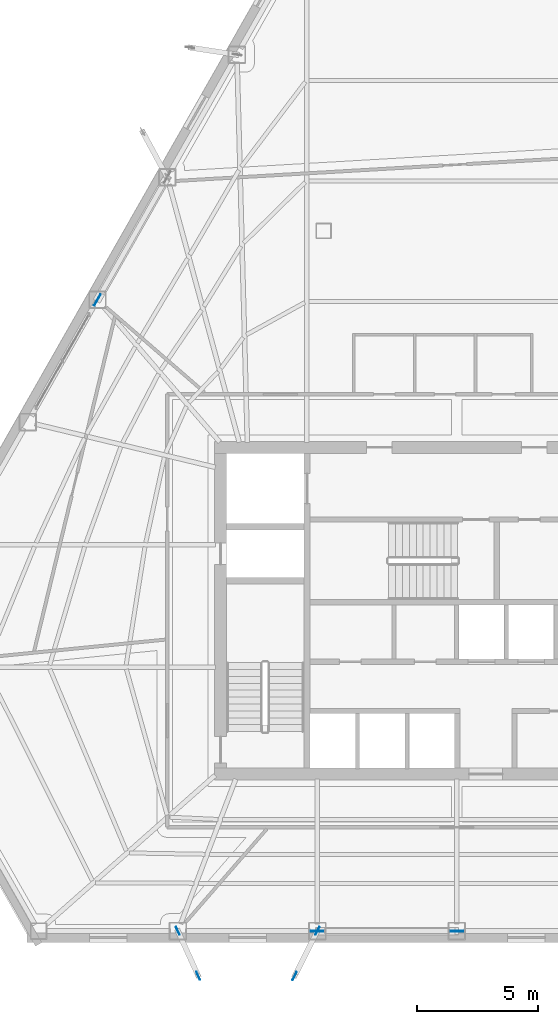
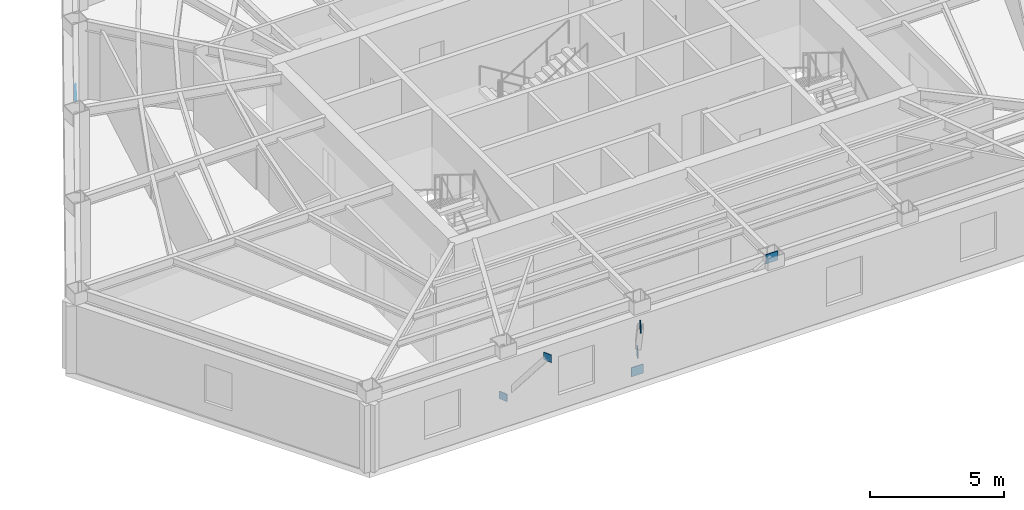
# One storey, part 5 of 12: 7 plates.
"""IFC4 building model written with IfcOpenShell, lengths in metres."""

import ifcopenshell
import ifcopenshell.guid

model = None  # the IFC model being written
_history = None  # IfcOwnerHistory: only IFC2X3 demands one
_inside = {}  # id of a spatial element -> (the spatial element, [elements in it])
_under = {}  # id of a project, library or spatial element -> (it, [spatial elements below it])
_declared = {}  # id of a project -> (the project, [libraries it declares])
_typed = {}  # id of a type object -> (the type object, [elements of that type])
_made_of = {}  # id of a material, layer set ... -> (it, [elements and type objects made of it])


def new_model(schema):
    """Start an empty IFC model of exactly this schema.

    Asked for "IFC4X3", IfcOpenShell would pick the latest addendum, in which some entities
    have other attributes; the version numbers below select the first issue.
    IFC2X3 requires an IfcOwnerHistory on every rooted entity: one is made here for all.
    """
    global model, _history
    if schema == "IFC4X3":
        model = ifcopenshell.file(schema_version=(4, 3, 0, 0))
    else:
        model = ifcopenshell.file(schema=schema)
    _inside.clear()
    _under.clear()
    _declared.clear()
    _typed.clear()
    _made_of.clear()
    _history = None
    if model.schema == "IFC2X3":
        org = make("IfcOrganization", Name="unknown")
        user = make(
            "IfcPersonAndOrganization",
            ThePerson=make("IfcPerson", FamilyName="unknown"),
            TheOrganization=org,
        )
        app = make(
            "IfcApplication",
            ApplicationDeveloper=org,
            Version="unknown",
            ApplicationFullName="unknown",
            ApplicationIdentifier="unknown",
        )
        _history = make(
            "IfcOwnerHistory",
            OwningUser=user,
            OwningApplication=app,
            ChangeAction="ADDED",
            CreationDate=0,
        )
    return model


def make(cls, **values):
    """One entity of the class cls with the attributes given. An attribute that is None is left unset."""
    return model.create_entity(
        cls, **{name: value for name, value in values.items() if value is not None}
    )


def rooted(cls, **values):
    """An entity with a GlobalId (a new one), such as an element, a storey or a relation."""
    return make(cls, GlobalId=ifcopenshell.guid.new(), OwnerHistory=_history, **values)


def si_unit(unit_type, name, prefix=None):
    """IfcSIUnit, for example si_unit("LENGTHUNIT", "METRE", prefix="MILLI")."""
    return make("IfcSIUnit", UnitType=unit_type, Prefix=prefix, Name=name)


def assignment(units):
    """IfcUnitAssignment: the units of a project."""
    return None if units is None else make("IfcUnitAssignment", Units=units)


def point(xyz):
    """IfcCartesianPoint."""
    return None if xyz is None else make("IfcCartesianPoint", Coordinates=xyz)


def direction(xyz):
    """IfcDirection."""
    return None if xyz is None else make("IfcDirection", DirectionRatios=xyz)


def frame(location, z_axis=None, x_axis=None):
    """IfcAxis2Placement3D, a coordinate frame: its origin and axes. An axis left out is left unset."""
    return make(
        "IfcAxis2Placement3D",
        Location=point(location),
        Axis=direction(z_axis),
        RefDirection=direction(x_axis),
    )


def frame_2d(location, x_axis=None):
    """IfcAxis2Placement2D, a coordinate frame in the plane: its origin and x axis."""
    return make(
        "IfcAxis2Placement2D", Location=point(location), RefDirection=direction(x_axis)
    )


def origin():
    """The frame at (0, 0, 0) with its axes left unset."""
    return frame((0.0, 0.0, 0.0))


def origin_2d():
    """The frame at (0, 0) in the plane with its x axis left unset."""
    return frame_2d((0.0, 0.0))


def place(relative_to, where):
    """IfcLocalPlacement: puts the frame where relative to a parent placement (None: the world)."""
    return make(
        "IfcLocalPlacement", PlacementRelTo=relative_to, RelativePlacement=where
    )


def context(
    kind, dimensions, precision=None, world=None, true_north=None, identifier=None
):
    """IfcGeometricRepresentationContext, for example the 3D "Model" context."""
    return make(
        "IfcGeometricRepresentationContext",
        ContextIdentifier=identifier,
        ContextType=kind,
        CoordinateSpaceDimension=dimensions,
        Precision=precision,
        WorldCoordinateSystem=world,
        TrueNorth=true_north,
    )


def subcontext(parent, identifier, kind, view, scale=None):
    """IfcGeometricRepresentationSubContext, for example "Body" below "Model"."""
    return make(
        "IfcGeometricRepresentationSubContext",
        ContextIdentifier=identifier,
        ContextType=kind,
        ParentContext=parent,
        TargetScale=scale,
        TargetView=view,
    )


def project(units=None, contexts=None):
    """IfcProject with its units and contexts."""
    return rooted(
        "IfcProject",
        Name="project",
        RepresentationContexts=contexts,
        UnitsInContext=assignment(units),
    )


def spatial(cls, under=None, at=None, **own):
    """A site, building, storey or space (cls), placed at a placement, below another one or the project."""
    s = rooted(cls, ObjectPlacement=at, **own)
    if under is not None:
        _under.setdefault(under.id(), (under, []))[1].append(s)
    return s


def profile(cls, at=None, kind="AREA", **sizes):
    """A parametric profile (cls). Its sizes go by their IFC names, for example OverallWidth=200.0."""
    return make(cls, ProfileType=kind, Position=at, **sizes)


def rectangle(**sizes):
    """IfcRectangleProfileDef."""
    return profile("IfcRectangleProfileDef", **sizes)


def extrude(swept, where, along, depth):
    """IfcExtrudedAreaSolid: the profile swept, set in the frame where, extruded along a direction by depth."""
    return make(
        "IfcExtrudedAreaSolid",
        SweptArea=swept,
        Position=where,
        ExtrudedDirection=direction(along),
        Depth=depth,
    )


def shape(context_of_items, identifier, shape_type, items):
    """IfcShapeRepresentation: the items that make up one representation, for example the "Body"."""
    return make(
        "IfcShapeRepresentation",
        ContextOfItems=context_of_items,
        RepresentationIdentifier=identifier,
        RepresentationType=shape_type,
        Items=items,
    )


def material(Name=None, Category=None):
    """IfcMaterial."""
    return make("IfcMaterial", Name=Name, Category=Category)


def layer(
    of_material, thickness, ventilated=None, Name=None, Category=None, Priority=None
):
    """IfcMaterialLayer: one layer of a wall or slab, of a material (None: an air gap)."""
    return make(
        "IfcMaterialLayer",
        Material=of_material,
        LayerThickness=thickness,
        IsVentilated=ventilated,
        Name=Name,
        Category=Category,
        Priority=Priority,
    )


def layer_set(layers, Name=None):
    """IfcMaterialLayerSet."""
    return make("IfcMaterialLayerSet", MaterialLayers=layers, LayerSetName=Name)


def made_of(thing, what):
    """Note that an element or type object is made of a material, layer set ...; save() writes the relation."""
    if what is not None:
        _made_of.setdefault(what.id(), (what, []))[1].append(thing)
    return thing


def type_object(cls, material=None, **own):
    """A type object (cls), such as IfcWallType, which elements share."""
    return made_of(rooted(cls, **own), material)


def element(
    cls,
    number,
    at=None,
    inside=None,
    cuts=None,
    type_object=None,
    material=None,
    context=None,
    identifier="Body",
    shape_type=None,
    held_by="IfcProductDefinitionShape",
    body=None,
    shapes=None,
    **own,
):
    """One element of the class cls, such as IfcWall. Its Tag is "e" and its number.

    at: its placement. inside: the storey or other place that contains it. cuts: it is an
    opening in that element (IfcRelVoidsElement). A single representation is given by context,
    identifier, shape_type and body (its items); several are given by shapes. held_by: the class
    of the entity that holds the representations. save() writes the other relations.
    """
    e = rooted(cls, Tag="e%d" % number, ObjectPlacement=at, **own)
    if body is not None:
        shapes = [shape(context, identifier, shape_type, body)]
    if shapes is not None:
        e.Representation = make(held_by, Representations=shapes)
    if inside is not None:
        _inside.setdefault(inside.id(), (inside, []))[1].append(e)
    if cuts is not None:
        rooted(
            "IfcRelVoidsElement", RelatingBuildingElement=cuts, RelatedOpeningElement=e
        )
    if type_object is not None:
        _typed.setdefault(type_object.id(), (type_object, []))[1].append(e)
    return made_of(e, material)


def aggregate(whole, parts):
    """IfcRelAggregates: a whole, such as a stair, and the parts it consists of."""
    return rooted("IfcRelAggregates", RelatingObject=whole, RelatedObjects=parts)


def save(model, path):
    """Write the relations noted so far, then the file.

    IfcRelAggregates (storeys below a building ...), IfcRelContainedInSpatialStructure (elements
    in a storey), IfcRelDefinesByType, IfcRelAssociatesMaterial and IfcRelDeclares: one each for
    every whole, place, type object, material and project.
    """
    for whole, parts in _under.values():
        aggregate(whole, parts)
    for where, things in _inside.values():
        rooted(
            "IfcRelContainedInSpatialStructure",
            RelatedElements=things,
            RelatingStructure=where,
        )
    for kind, things in _typed.values():
        rooted("IfcRelDefinesByType", RelatedObjects=things, RelatingType=kind)
    for what, things in _made_of.values():
        rooted("IfcRelAssociatesMaterial", RelatedObjects=things, RelatingMaterial=what)
    for by, libraries in _declared.values():
        rooted("IfcRelDeclares", RelatingContext=by, RelatedDefinitions=libraries)
    model.write(path)


model = new_model("IFC4")

# Units and contexts
model_context = context("Model", 3, precision=1e-05, world=origin(), true_north=direction((0.0, 1.0)))
body_context = subcontext(model_context, "Body", "Model", "MODEL_VIEW")
ifc_project = project(units=[si_unit("LENGTHUNIT", "METRE"), si_unit("AREAUNIT", "SQUARE_METRE"), si_unit("VOLUMEUNIT", "CUBIC_METRE"), si_unit("PLANEANGLEUNIT", "RADIAN"), si_unit("MASSUNIT", "GRAM", prefix="KILO")], contexts=[model_context])

# Site, building, storey
site_placement = place(None, origin())
site = spatial("IfcSite", under=ifc_project, at=site_placement, CompositionType="ELEMENT")
building_placement = place(site_placement, origin())
building = spatial("IfcBuilding", under=site, at=building_placement, Name="Kavelnor Concourse Tower", CompositionType="ELEMENT")
storey_placement = place(building_placement, frame((0.0, 0.0, 93.199951171875)))
storey = spatial("IfcBuildingStorey", under=building, at=storey_placement, Name="L23", CompositionType="ELEMENT", Elevation=93.199951171875)

# Plates
ifc_material = material(Name="Steel Grade 350", Category="steel")
ifc_layer_1 = layer(ifc_material, 0.028076171875, Name="Steel Grade 350")
ifc_layer_set_1 = layer_set([ifc_layer_1], Name="Steel Grade 350")
plate_type_1 = type_object("IfcPlateType", Name="PL-GUSSET-FOLD", PredefinedType="USERDEFINED", material=ifc_layer_set_1)
for number, where, z_axis, x_axis, name in (
    (1, (26.469482421875, 2.860595703125, 0.8798828125), (0.0, 0.0, 1.0), (0.413263367815, -0.910611546611, 0.0), "L23 Balcony Strut Gusset GP4 2-A End Gusset A"),
    (2, (27.310546875, 1.00732421875, 3.48486328125), (0.0, 0.0, 1.0), (0.413263367815, -0.910611546611, 0.0), "L23 Balcony Strut Gusset GP4 2-A End Gusset B"),
    (3, (32.24267578125, 2.8603515625, 0.8798828125), (0.0, 0.0, 1.0), (-0.451189084442, -0.892428378124, 0.0), "L23 Balcony Strut Gusset GP4 2-B End Gusset A"),
    (4, (31.300048828125, 0.996337890625, 3.48486328125), (0.0, 0.0, 1.0), (-0.451189084442, -0.892428378124, 0.0), "L23 Balcony Strut Gusset GP4 2-B End Gusset B"),
):
    element("IfcPlate", number, at=place(storey_placement, frame(where, z_axis=z_axis, x_axis=x_axis)), inside=storey, type_object=plate_type_1, Name=name, ObjectType="GUSSET_PLATE", PredefinedType="USERDEFINED", context=body_context, shape_type="SweptSolid", body=[
        extrude(rectangle(XDim=0.360107421875, YDim=0.028076171875, at=origin_2d()), origin(), (0.0, 0.0, 1.0), 0.340087890625),
    ])
ifc_layer_2 = layer(ifc_material, 0.031982421875, Name="Steel Grade 350")
ifc_layer_set_2 = layer_set([ifc_layer_2], Name="Steel Grade 350")
plate_type_2 = type_object("IfcPlateType", Name="PL-GUSSET-TUBE-Z1", PredefinedType="USERDEFINED", material=ifc_layer_set_2)
for number, where, z_axis, x_axis, name in (
    (5, (23.1416015625, 28.94580078125, 0.010009765625), (0.0, 0.0, 1.0), (0.494700455876, 0.869063552887, 0.0), "L23 Tube Brace Gusset GP3 F0-B2 End Gusset A"),
    (6, (32.22509765625, 2.849609375, 0.010009765625), (0.0, 0.0, 1.0), (1.0, 0.0, 0.0), "L23 Tube Brace Gusset GP3 F1-B2 End Gusset A"),
    (7, (38.011962890625, 2.849609375, 3.12353515625), (0.0, 0.0, 1.0), (1.0, 0.0, 0.0), "L23 Tube Brace Gusset GP3 F1-B2 End Gusset B"),
):
    element("IfcPlate", number, at=place(storey_placement, frame(where, z_axis=z_axis, x_axis=x_axis)), inside=storey, type_object=plate_type_2, Name=name, ObjectType="GUSSET_PLATE", PredefinedType="USERDEFINED", context=body_context, shape_type="SweptSolid", body=[
        extrude(rectangle(XDim=0.52001953125, YDim=0.031982421875, at=origin_2d()), origin(), (0.0, 0.0, 1.0), 0.419921875),
    ])

save(model, "model.ifc")
